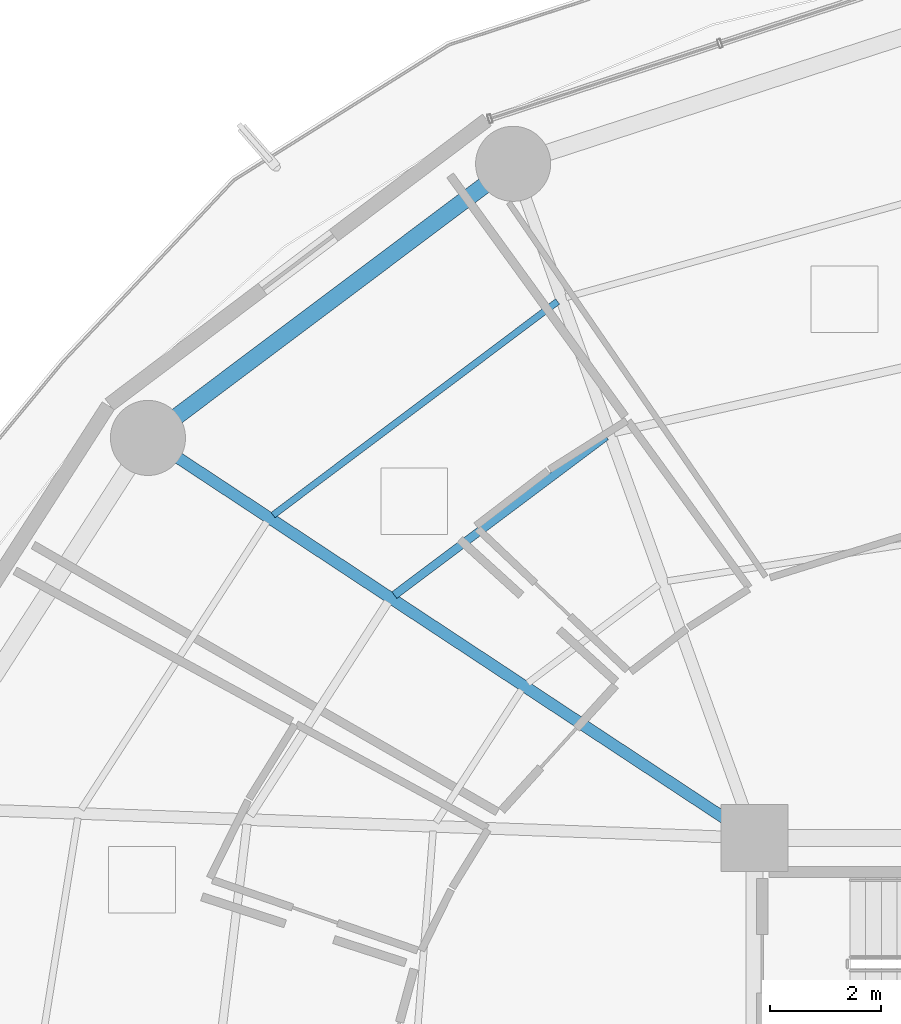
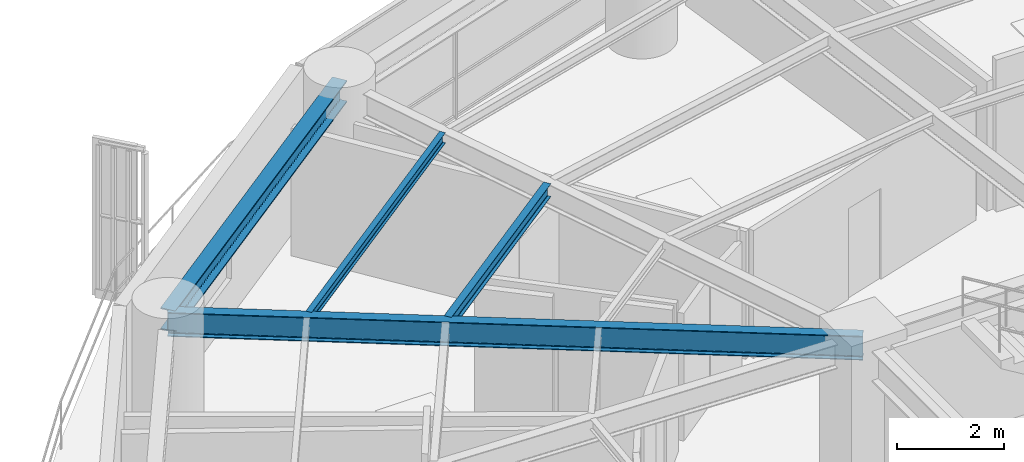
# One storey, part 19 of 37: 4 beams.
"""IFC4 building model written with IfcOpenShell, lengths in metres."""

import ifcopenshell
import ifcopenshell.guid

model = None  # the IFC model being written
_history = None  # IfcOwnerHistory: only IFC2X3 demands one
_inside = {}  # id of a spatial element -> (the spatial element, [elements in it])
_under = {}  # id of a project, library or spatial element -> (it, [spatial elements below it])
_declared = {}  # id of a project -> (the project, [libraries it declares])
_typed = {}  # id of a type object -> (the type object, [elements of that type])
_made_of = {}  # id of a material, layer set ... -> (it, [elements and type objects made of it])


def new_model(schema):
    """Start an empty IFC model of exactly this schema.

    Asked for "IFC4X3", IfcOpenShell would pick the latest addendum, in which some entities
    have other attributes; the version numbers below select the first issue.
    IFC2X3 requires an IfcOwnerHistory on every rooted entity: one is made here for all.
    """
    global model, _history
    if schema == "IFC4X3":
        model = ifcopenshell.file(schema_version=(4, 3, 0, 0))
    else:
        model = ifcopenshell.file(schema=schema)
    _inside.clear()
    _under.clear()
    _declared.clear()
    _typed.clear()
    _made_of.clear()
    _history = None
    if model.schema == "IFC2X3":
        org = make("IfcOrganization", Name="unknown")
        user = make(
            "IfcPersonAndOrganization",
            ThePerson=make("IfcPerson", FamilyName="unknown"),
            TheOrganization=org,
        )
        app = make(
            "IfcApplication",
            ApplicationDeveloper=org,
            Version="unknown",
            ApplicationFullName="unknown",
            ApplicationIdentifier="unknown",
        )
        _history = make(
            "IfcOwnerHistory",
            OwningUser=user,
            OwningApplication=app,
            ChangeAction="ADDED",
            CreationDate=0,
        )
    return model


def make(cls, **values):
    """One entity of the class cls with the attributes given. An attribute that is None is left unset."""
    return model.create_entity(
        cls, **{name: value for name, value in values.items() if value is not None}
    )


def rooted(cls, **values):
    """An entity with a GlobalId (a new one), such as an element, a storey or a relation."""
    return make(cls, GlobalId=ifcopenshell.guid.new(), OwnerHistory=_history, **values)


def si_unit(unit_type, name, prefix=None):
    """IfcSIUnit, for example si_unit("LENGTHUNIT", "METRE", prefix="MILLI")."""
    return make("IfcSIUnit", UnitType=unit_type, Prefix=prefix, Name=name)


def assignment(units):
    """IfcUnitAssignment: the units of a project."""
    return None if units is None else make("IfcUnitAssignment", Units=units)


def point(xyz):
    """IfcCartesianPoint."""
    return None if xyz is None else make("IfcCartesianPoint", Coordinates=xyz)


def direction(xyz):
    """IfcDirection."""
    return None if xyz is None else make("IfcDirection", DirectionRatios=xyz)


def frame(location, z_axis=None, x_axis=None):
    """IfcAxis2Placement3D, a coordinate frame: its origin and axes. An axis left out is left unset."""
    return make(
        "IfcAxis2Placement3D",
        Location=point(location),
        Axis=direction(z_axis),
        RefDirection=direction(x_axis),
    )


def frame_2d(location, x_axis=None):
    """IfcAxis2Placement2D, a coordinate frame in the plane: its origin and x axis."""
    return make(
        "IfcAxis2Placement2D", Location=point(location), RefDirection=direction(x_axis)
    )


def origin():
    """The frame at (0, 0, 0) with its axes left unset."""
    return frame((0.0, 0.0, 0.0))


def origin_2d():
    """The frame at (0, 0) in the plane with its x axis left unset."""
    return frame_2d((0.0, 0.0))


def place(relative_to, where):
    """IfcLocalPlacement: puts the frame where relative to a parent placement (None: the world)."""
    return make(
        "IfcLocalPlacement", PlacementRelTo=relative_to, RelativePlacement=where
    )


def context(
    kind, dimensions, precision=None, world=None, true_north=None, identifier=None
):
    """IfcGeometricRepresentationContext, for example the 3D "Model" context."""
    return make(
        "IfcGeometricRepresentationContext",
        ContextIdentifier=identifier,
        ContextType=kind,
        CoordinateSpaceDimension=dimensions,
        Precision=precision,
        WorldCoordinateSystem=world,
        TrueNorth=true_north,
    )


def subcontext(parent, identifier, kind, view, scale=None):
    """IfcGeometricRepresentationSubContext, for example "Body" below "Model"."""
    return make(
        "IfcGeometricRepresentationSubContext",
        ContextIdentifier=identifier,
        ContextType=kind,
        ParentContext=parent,
        TargetScale=scale,
        TargetView=view,
    )


def project(units=None, contexts=None):
    """IfcProject with its units and contexts."""
    return rooted(
        "IfcProject",
        Name="project",
        RepresentationContexts=contexts,
        UnitsInContext=assignment(units),
    )


def spatial(cls, under=None, at=None, **own):
    """A site, building, storey or space (cls), placed at a placement, below another one or the project."""
    s = rooted(cls, ObjectPlacement=at, **own)
    if under is not None:
        _under.setdefault(under.id(), (under, []))[1].append(s)
    return s


def profile(cls, at=None, kind="AREA", **sizes):
    """A parametric profile (cls). Its sizes go by their IFC names, for example OverallWidth=200.0."""
    return make(cls, ProfileType=kind, Position=at, **sizes)


def i_section(**sizes):
    """IfcIShapeProfileDef."""
    return profile("IfcIShapeProfileDef", **sizes)


def extrude(swept, where, along, depth):
    """IfcExtrudedAreaSolid: the profile swept, set in the frame where, extruded along a direction by depth."""
    return make(
        "IfcExtrudedAreaSolid",
        SweptArea=swept,
        Position=where,
        ExtrudedDirection=direction(along),
        Depth=depth,
    )


def shape(context_of_items, identifier, shape_type, items):
    """IfcShapeRepresentation: the items that make up one representation, for example the "Body"."""
    return make(
        "IfcShapeRepresentation",
        ContextOfItems=context_of_items,
        RepresentationIdentifier=identifier,
        RepresentationType=shape_type,
        Items=items,
    )


def material(Name=None, Category=None):
    """IfcMaterial."""
    return make("IfcMaterial", Name=Name, Category=Category)


def material_profile(
    of_material, cross_section, Name=None, Category=None, Priority=None
):
    """IfcMaterialProfile: a cross section and its material."""
    return make(
        "IfcMaterialProfile",
        Name=Name,
        Material=of_material,
        Profile=cross_section,
        Priority=Priority,
        Category=Category,
    )


def profile_set(profiles, Name=None, composite=None):
    """IfcMaterialProfileSet."""
    return make(
        "IfcMaterialProfileSet",
        Name=Name,
        MaterialProfiles=profiles,
        CompositeProfile=composite,
    )


def made_of(thing, what):
    """Note that an element or type object is made of a material, layer set ...; save() writes the relation."""
    if what is not None:
        _made_of.setdefault(what.id(), (what, []))[1].append(thing)
    return thing


def type_object(cls, material=None, **own):
    """A type object (cls), such as IfcWallType, which elements share."""
    return made_of(rooted(cls, **own), material)


def element(
    cls,
    number,
    at=None,
    inside=None,
    cuts=None,
    type_object=None,
    material=None,
    context=None,
    identifier="Body",
    shape_type=None,
    held_by="IfcProductDefinitionShape",
    body=None,
    shapes=None,
    **own,
):
    """One element of the class cls, such as IfcWall. Its Tag is "e" and its number.

    at: its placement. inside: the storey or other place that contains it. cuts: it is an
    opening in that element (IfcRelVoidsElement). A single representation is given by context,
    identifier, shape_type and body (its items); several are given by shapes. held_by: the class
    of the entity that holds the representations. save() writes the other relations.
    """
    e = rooted(cls, Tag="e%d" % number, ObjectPlacement=at, **own)
    if body is not None:
        shapes = [shape(context, identifier, shape_type, body)]
    if shapes is not None:
        e.Representation = make(held_by, Representations=shapes)
    if inside is not None:
        _inside.setdefault(inside.id(), (inside, []))[1].append(e)
    if cuts is not None:
        rooted(
            "IfcRelVoidsElement", RelatingBuildingElement=cuts, RelatedOpeningElement=e
        )
    if type_object is not None:
        _typed.setdefault(type_object.id(), (type_object, []))[1].append(e)
    return made_of(e, material)


def aggregate(whole, parts):
    """IfcRelAggregates: a whole, such as a stair, and the parts it consists of."""
    return rooted("IfcRelAggregates", RelatingObject=whole, RelatedObjects=parts)


def save(model, path):
    """Write the relations noted so far, then the file.

    IfcRelAggregates (storeys below a building ...), IfcRelContainedInSpatialStructure (elements
    in a storey), IfcRelDefinesByType, IfcRelAssociatesMaterial and IfcRelDeclares: one each for
    every whole, place, type object, material and project.
    """
    for whole, parts in _under.values():
        aggregate(whole, parts)
    for where, things in _inside.values():
        rooted(
            "IfcRelContainedInSpatialStructure",
            RelatedElements=things,
            RelatingStructure=where,
        )
    for kind, things in _typed.values():
        rooted("IfcRelDefinesByType", RelatedObjects=things, RelatingType=kind)
    for what, things in _made_of.values():
        rooted("IfcRelAssociatesMaterial", RelatedObjects=things, RelatingMaterial=what)
    for by, libraries in _declared.values():
        rooted("IfcRelDeclares", RelatingContext=by, RelatedDefinitions=libraries)
    model.write(path)


model = new_model("IFC4")

# Units and contexts
model_context = context("Model", 3, precision=1e-05, world=origin(), true_north=direction((0.0, 1.0)))
body_context = subcontext(model_context, "Body", "Model", "MODEL_VIEW")
ifc_project = project(units=[si_unit("LENGTHUNIT", "METRE"), si_unit("AREAUNIT", "SQUARE_METRE"), si_unit("VOLUMEUNIT", "CUBIC_METRE"), si_unit("PLANEANGLEUNIT", "RADIAN"), si_unit("MASSUNIT", "GRAM", prefix="KILO")], contexts=[model_context])

# Site, building, storey
site_placement = place(None, origin())
site = spatial("IfcSite", under=ifc_project, at=site_placement, CompositionType="ELEMENT")
building_placement = place(site_placement, origin())
building = spatial("IfcBuilding", under=site, at=building_placement, Name="Kelanora Arch Commons", CompositionType="ELEMENT")
storey_placement = place(building_placement, frame((0.0, 0.0, 113.85009765625)))
storey = spatial("IfcBuildingStorey", under=building, at=storey_placement, Name="L29", CompositionType="ELEMENT", Elevation=113.85009765625)

# Beams
ifc_material = material(Name="Steel S355", Category="steel")
ifc_material_profile_1 = material_profile(ifc_material, i_section(OverallWidth=0.14990234375, OverallDepth=0.300048828125, WebThickness=0.007080078125, FlangeThickness=0.0107421875, FilletRadius=0.014892578125, at=origin_2d()), Name="IPE300")
ifc_profile_set_1 = profile_set([ifc_material_profile_1], Name="Steel S355")
beam_type_1 = type_object("IfcBeamType", Name="BM-JST-01", PredefinedType="JOIST", material=ifc_profile_set_1)
beam_1_placement = place(storey_placement, frame((63.327880859375, 72.22216796875, 3.33984375), z_axis=(-0.79971039107, -0.600385951214, 0.0), x_axis=(0.600385951214, -0.79971039107, 0.0)))
element("IfcBeam", 1, at=beam_1_placement, inside=storey, type_object=beam_type_1, Name="Secondary Chord Joist BJB-12 L29", PredefinedType="JOIST", context=body_context, shape_type="SweptSolid", body=[
    extrude(i_section(OverallWidth=0.14990234375, OverallDepth=0.300048828125, WebThickness=0.007080078125, FlangeThickness=0.0107421875, FilletRadius=0.014892578125, at=origin_2d()), origin(), (0.0, 0.0, 1.0), 4.756103515625),
])
ifc_material_profile_2 = material_profile(ifc_material, i_section(OverallWidth=0.1201171875, OverallDepth=0.239990234375, WebThickness=0.006103515625, FlangeThickness=0.009765625, FilletRadius=0.014892578125, at=origin_2d()), Name="IPE240")
ifc_profile_set_2 = profile_set([ifc_material_profile_2], Name="Steel S355")
beam_type_2 = type_object("IfcBeamType", Name="BM-JST-02", PredefinedType="JOIST", material=ifc_profile_set_2)
beam_2_placement = place(storey_placement, frame((62.4599609375, 74.646484375, 3.369873046875), z_axis=(-0.799734335646, -0.600354055861, 0.0), x_axis=(0.600354055861, -0.799734335646, 0.0)))
element("IfcBeam", 2, at=beam_2_placement, inside=storey, type_object=beam_type_2, Name="Secondary Chord Joist BJC-12 L29", PredefinedType="JOIST", context=body_context, shape_type="SweptSolid", body=[
    extrude(i_section(OverallWidth=0.1201171875, OverallDepth=0.239990234375, WebThickness=0.006103515625, FlangeThickness=0.009765625, FilletRadius=0.014892578125, at=origin_2d()), origin(), (0.0, 0.0, 1.0), 6.39794921875),
])
ifc_material_profile_3 = material_profile(ifc_material, i_section(OverallWidth=0.2099609375, OverallDepth=0.550048828125, WebThickness=0.010986328125, FlangeThickness=0.01708984375, FilletRadius=0.02392578125, at=origin_2d()), Name="IPE550")
ifc_profile_set_3 = profile_set([ifc_material_profile_3], Name="Steel S355")
beam_type_3 = type_object("IfcBeamType", Name="BM-RAD-Z2", PredefinedType="BEAM", material=ifc_profile_set_3)
beam_3_placement = place(storey_placement, frame((66.0, 65.0, 3.21484375), z_axis=(-0.834788577908, 0.550570640512, 0.0), x_axis=(-0.550570640512, -0.834788577908, 0.0)))
element("IfcBeam", 3, at=beam_3_placement, inside=storey, type_object=beam_type_3, Name="Radial Floor Girder BR-14 L29", PredefinedType="BEAM", context=body_context, shape_type="SweptSolid", body=[
    extrude(i_section(OverallWidth=0.2099609375, OverallDepth=0.550048828125, WebThickness=0.010986328125, FlangeThickness=0.01708984375, FilletRadius=0.02392578125, at=origin_2d()), origin(), (0.0, 0.0, 1.0), 13.064453125),
])
ifc_material_profile_4 = material_profile(ifc_material, i_section(OverallWidth=0.300048828125, OverallDepth=0.5, WebThickness=0.014404296875, FlangeThickness=0.028076171875, FilletRadius=0.027099609375, at=origin_2d()), Name="HEB500")
ifc_profile_set_4 = profile_set([ifc_material_profile_4], Name="Steel S355")
beam_type_4 = type_object("IfcBeamType", Name="BM-SPN-Z2", PredefinedType="SPANDREL", material=ifc_profile_set_4)
beam_4_placement = place(storey_placement, frame((61.659912109375, 77.121826171875, 3.239990234375), z_axis=(-0.799735861602, -0.600352023123, 0.0), x_axis=(0.600352023123, -0.799735861602, 0.0)))
element("IfcBeam", 4, at=beam_4_placement, inside=storey, type_object=beam_type_4, Name="Perimeter Spandrel Beam BS-12 L29", PredefinedType="SPANDREL", context=body_context, shape_type="SweptSolid", body=[
    extrude(i_section(OverallWidth=0.300048828125, OverallDepth=0.5, WebThickness=0.014404296875, FlangeThickness=0.028076171875, FilletRadius=0.027099609375, at=origin_2d()), origin(), (0.0, 0.0, 1.0), 8.210205078125),
])

save(model, "model.ifc")
